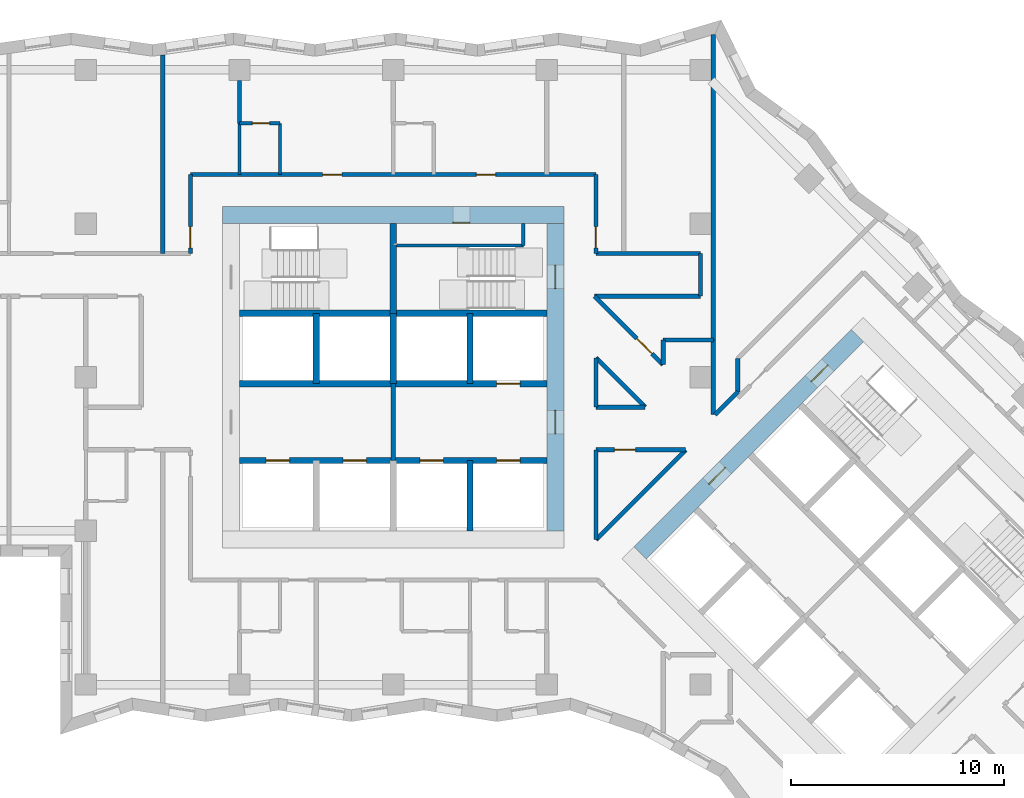
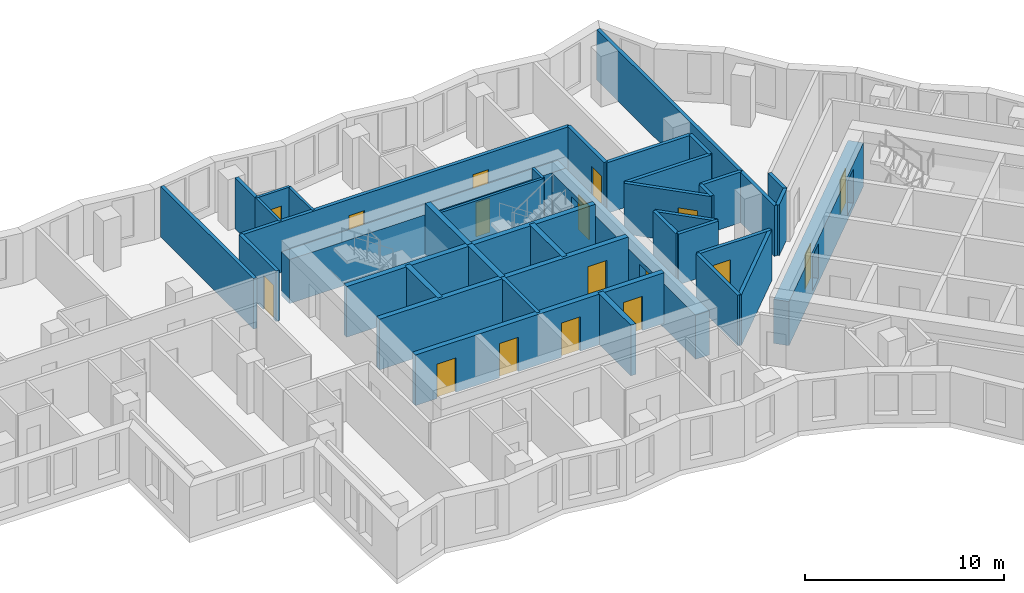
# One storey, part 6 of 13: 39 walls, 17 doors, 17 openings.
"""IFC4 building model written with IfcOpenShell, lengths in metres."""

from ifc_helpers import new_model, si_unit, direction, frame, frame_2d, origin, place, context, subcontext, project, spatial, rectangle, extrude, material, layer, layer_set, type_object, element, fill, save


model = new_model("IFC4")

# Units and contexts
model_context = context("Model", 3, precision=1e-05, world=origin(), true_north=direction((0.0, 1.0)))
body_context = subcontext(model_context, "Body", "Model", "MODEL_VIEW")
ifc_project = project(units=[si_unit("LENGTHUNIT", "METRE"), si_unit("AREAUNIT", "SQUARE_METRE"), si_unit("VOLUMEUNIT", "CUBIC_METRE"), si_unit("PLANEANGLEUNIT", "RADIAN"), si_unit("MASSUNIT", "GRAM", prefix="KILO")], contexts=[model_context])

# Site, building, storey
site_placement = place(None, origin())
site = spatial("IfcSite", under=ifc_project, at=site_placement, CompositionType="ELEMENT")
building_placement = place(site_placement, origin())
building = spatial("IfcBuilding", under=site, at=building_placement, Name="Windrow Commons", CompositionType="ELEMENT")
storey_placement = place(building_placement, frame((0.0, 0.0, 108.4)))
storey = spatial("IfcBuildingStorey", under=building, at=storey_placement, Name="L29", CompositionType="ELEMENT", Elevation=108.4)

# Wall
ifc_material_1 = material(Name="Blockwork partition", Category="masonry")
ifc_layer_1 = layer(ifc_material_1, 0.2)
ifc_layer_set_1 = layer_set([ifc_layer_1], Name="Fire lobby partition 200")
wall_type_1 = type_object("IfcWallType", Name="Fire lobby partition 200", PredefinedType="PARTITIONING", material=ifc_layer_set_1)
wall_1_placement = place(storey_placement, frame((64.8, 53.7, 0.0), z_axis=(0.0, 0.0, 1.0), x_axis=(0.0, 1.0, 0.0)))
element("IfcWall", 1, at=wall_1_placement, inside=storey, type_object=wall_type_1, Name="W-core-lobby-A-L29", PredefinedType="PARTITIONING", context=body_context, shape_type="SweptSolid", body=[
    extrude(rectangle(XDim=3.6, YDim=0.2, at=frame_2d((1.8, 0.0))), origin(), (0.0, 0.0, 1.0), 3.1),
])

# Wall, openings, doors
ifc_material_2 = material(Name="Blockwork partition", Category="masonry")
ifc_layer_2 = layer(ifc_material_2, 0.2)
ifc_layer_set_2 = layer_set([ifc_layer_2], Name="IW-CORRIDOR-200")
wall_type_2 = type_object("IfcWallType", Name="IW-CORRIDOR-200", PredefinedType="PARTITIONING", material=ifc_layer_set_2)
wall_2_placement = place(storey_placement, frame((55.3, 67.1, 0.0), z_axis=(0.0, 0.0, 1.0), x_axis=(1.0, 0.0, 0.0)))
wall_2 = element("IfcWall", 2, at=wall_2_placement, inside=storey, type_object=wall_type_2, Name="W-L29-W004", PredefinedType="PARTITIONING", context=body_context, shape_type="SweptSolid", body=[
    extrude(rectangle(XDim=19.0, YDim=0.2, at=frame_2d((9.5, 0.0))), origin(), (0.0, 0.0, 1.0), 3.1),
])
opening_1_placement = place(wall_2_placement, frame((6.1994, 0.0, 0.0)))
opening_1 = element("IfcOpeningElement", 3, at=opening_1_placement, cuts=wall_2, Name="Opening D109F", PredefinedType="OPENING", context=body_context, shape_type="SweptSolid", body=[
    extrude(rectangle(XDim=0.9, YDim=2.1, at=frame_2d((0.45, 1.05))), frame((0.0, 0.11, 0.0), z_axis=(0.0, -1.0, 0.0), x_axis=(1.0, 0.0, 0.0)), (0.0, 0.0, 1.0), 0.22),
])
opening_2_placement = place(wall_2_placement, frame((13.3994, 0.0, 0.0)))
opening_2 = element("IfcOpeningElement", 4, at=opening_2_placement, cuts=wall_2, Name="Opening D109F", PredefinedType="OPENING", context=body_context, shape_type="SweptSolid", body=[
    extrude(rectangle(XDim=0.9, YDim=2.1, at=frame_2d((0.45, 1.05))), frame((0.0, 0.11, 0.0), z_axis=(0.0, -1.0, 0.0), x_axis=(1.0, 0.0, 0.0)), (0.0, 0.0, 1.0), 0.22),
])
ifc_material_3 = material(Name="Timber door leaf", Category="wood")
door_type_1 = type_object("IfcDoorType", Name="DT-BEDROOM-900", OperationType="SINGLE_SWING_LEFT", PredefinedType="DOOR", material=ifc_material_3)
door_1_placement = place(opening_1_placement, origin())
door_1 = element("IfcDoor", 5, at=door_1_placement, inside=storey, type_object=door_type_1, Name="D-L29-D024", OperationType="SINGLE_SWING_RIGHT", OverallHeight=2.1, OverallWidth=0.9, PredefinedType="DOOR", context=body_context, shape_type="SweptSolid", body=[
    extrude(rectangle(XDim=0.9, YDim=2.1, at=frame_2d((0.45, 1.05))), frame((0.0, 0.025, 0.0), z_axis=(0.0, -1.0, 0.0), x_axis=(1.0, 0.0, 0.0)), (0.0, 0.0, 1.0), 0.05),
])
fill(opening_1, door_1)
door_2_placement = place(opening_2_placement, origin())
door_2 = element("IfcDoor", 6, at=door_2_placement, inside=storey, type_object=door_type_1, Name="D-L29-D026", OperationType="SINGLE_SWING_RIGHT", OverallHeight=2.1, OverallWidth=0.9, PredefinedType="DOOR", context=body_context, shape_type="SweptSolid", body=[
    extrude(rectangle(XDim=0.9, YDim=2.1, at=frame_2d((0.45, 1.05))), frame((0.0, 0.025, 0.0), z_axis=(0.0, -1.0, 0.0), x_axis=(1.0, 0.0, 0.0)), (0.0, 0.0, 1.0), 0.05),
])
fill(opening_2, door_2)

# Walls
wall_3_placement = place(storey_placement, frame((74.3012, 49.9908, 0.0), z_axis=(0.0, 0.0, 1.0), x_axis=(0.7071067812, 0.7071067812, 0.0)))
element("IfcWall", 7, at=wall_3_placement, inside=storey, type_object=wall_type_2, Name="W-L29-W028", PredefinedType="PARTITIONING", context=body_context, shape_type="SweptSolid", body=[
    extrude(rectangle(XDim=5.951, YDim=0.2, at=frame_2d((2.9755, 0.0))), origin(), (0.0, 0.0, 1.0), 3.1),
])
wall_4_placement = place(storey_placement, frame((74.246, 61.4, 0.0), z_axis=(0.0, 0.0, 1.0), x_axis=(1.0, 0.0, 0.0)))
element("IfcWall", 8, at=wall_4_placement, inside=storey, type_object=wall_type_2, Name="W-L29-W038", PredefinedType="PARTITIONING", context=body_context, shape_type="SweptSolid", body=[
    extrude(rectangle(XDim=4.954, YDim=0.2, at=frame_2d((2.477, 0.0))), origin(), (0.0, 0.0, 1.0), 3.1),
])
wall_5_placement = place(storey_placement, frame((74.302, 63.4, 0.0), z_axis=(0.0, 0.0, 1.0), x_axis=(1.0, 0.0, 0.0)))
element("IfcWall", 9, at=wall_5_placement, inside=storey, type_object=wall_type_2, Name="W-L29-W040", PredefinedType="PARTITIONING", context=body_context, shape_type="SweptSolid", body=[
    extrude(rectangle(XDim=4.896, YDim=0.2, at=frame_2d((2.448, 0.0))), origin(), (0.0, 0.0, 1.0), 3.1),
])

# Wall, opening, door
wall_6_placement = place(storey_placement, frame((74.2426, 61.3946, 0.0), z_axis=(0.0, 0.0, 1.0), x_axis=(0.7071067812, -0.7071067812, 0.0)))
wall_6 = element("IfcWall", 10, at=wall_6_placement, inside=storey, type_object=wall_type_2, Name="W-L29-W044", PredefinedType="PARTITIONING", context=body_context, shape_type="SweptSolid", body=[
    extrude(rectangle(XDim=4.5283, YDim=0.2, at=frame_2d((2.2641, 0.0))), origin(), (0.0, 0.0, 1.0), 3.1),
])
opening_3_placement = place(wall_6_placement, frame((2.7971, 0.0, 0.0)))
opening_3 = element("IfcOpeningElement", 11, at=opening_3_placement, cuts=wall_6, Name="Opening D310F", PredefinedType="OPENING", context=body_context, shape_type="SweptSolid", body=[
    extrude(rectangle(XDim=1.0, YDim=2.1, at=frame_2d((0.5, 1.05))), frame((0.0, 0.11, 0.0), z_axis=(0.0, -1.0, 0.0), x_axis=(1.0, 0.0, 0.0)), (0.0, 0.0, 1.0), 0.22),
])
ifc_material_4 = material(Name="Timber door leaf", Category="wood")
door_type_2 = type_object("IfcDoorType", Name="DT-AMENITY-1000", OperationType="SINGLE_SWING_LEFT", PredefinedType="DOOR", material=ifc_material_4)
door_3_placement = place(opening_3_placement, origin())
door_3 = element("IfcDoor", 12, at=door_3_placement, inside=storey, type_object=door_type_2, Name="D-L29-D035", OperationType="SINGLE_SWING_LEFT", OverallHeight=2.1, OverallWidth=1.0, PredefinedType="DOOR", context=body_context, shape_type="SweptSolid", body=[
    extrude(rectangle(XDim=1.0, YDim=2.1, at=frame_2d((0.5, 1.05))), frame((0.0, 0.025, 0.0), z_axis=(0.0, -1.0, 0.0), x_axis=(1.0, 0.0, 0.0)), (0.0, 0.0, 1.0), 0.05),
])
fill(opening_3, door_3)

# Wall
wall_7_placement = place(storey_placement, frame((74.3, 49.99, 0.0), z_axis=(0.0, 0.0, 1.0), x_axis=(0.0, 1.0, 0.0)))
element("IfcWall", 13, at=wall_7_placement, inside=storey, type_object=wall_type_2, Name="W-L29-W048", PredefinedType="PARTITIONING", context=body_context, shape_type="SweptSolid", body=[
    extrude(rectangle(XDim=4.21, YDim=0.2, at=frame_2d((2.105, 0.0))), origin(), (0.0, 0.0, 1.0), 3.1),
])

# Wall, opening, door
wall_8_placement = place(storey_placement, frame((74.302, 54.2, 0.0), z_axis=(0.0, 0.0, 1.0), x_axis=(1.0, 0.0, 0.0)))
wall_8 = element("IfcWall", 14, at=wall_8_placement, inside=storey, type_object=wall_type_2, Name="W-L29-W049", PredefinedType="PARTITIONING", context=body_context, shape_type="SweptSolid", body=[
    extrude(rectangle(XDim=4.208, YDim=0.2, at=frame_2d((2.104, 0.0))), origin(), (0.0, 0.0, 1.0), 3.1),
])
opening_4_placement = place(wall_8_placement, frame((0.8604, 0.0, 0.0)))
opening_4 = element("IfcOpeningElement", 15, at=opening_4_placement, cuts=wall_8, Name="Opening D410F", PredefinedType="OPENING", context=body_context, shape_type="SweptSolid", body=[
    extrude(rectangle(XDim=1.0, YDim=2.1, at=frame_2d((0.5, 1.05))), frame((0.0, 0.11, 0.0), z_axis=(0.0, -1.0, 0.0), x_axis=(1.0, 0.0, 0.0)), (0.0, 0.0, 1.0), 0.22),
])
ifc_material_5 = material(Name="Timber door leaf", Category="wood")
door_type_3 = type_object("IfcDoorType", Name="DT-SERVICE-1000", OperationType="SINGLE_SWING_LEFT", PredefinedType="DOOR", material=ifc_material_5)
door_4_placement = place(opening_4_placement, origin())
door_4 = element("IfcDoor", 16, at=door_4_placement, inside=storey, type_object=door_type_3, Name="D-L29-D000", OperationType="SINGLE_SWING_RIGHT", OverallHeight=2.1, OverallWidth=1.0, PredefinedType="DOOR", context=body_context, shape_type="SweptSolid", body=[
    extrude(rectangle(XDim=1.0, YDim=2.1, at=frame_2d((0.5, 1.05))), frame((0.0, 0.025, 0.0), z_axis=(0.0, -1.0, 0.0), x_axis=(1.0, 0.0, 0.0)), (0.0, 0.0, 1.0), 0.05),
])
fill(opening_4, door_4)

wall_9_placement = place(storey_placement, frame((55.3, 63.402, 0.0), z_axis=(0.0, 0.0, 1.0), x_axis=(0.0, 1.0, 0.0)))
wall_9 = element("IfcWall", 17, at=wall_9_placement, inside=storey, type_object=wall_type_2, Name="W-L29-W051", PredefinedType="PARTITIONING", context=body_context, shape_type="SweptSolid", body=[
    extrude(rectangle(XDim=3.698, YDim=0.2, at=frame_2d((1.849, 0.0))), origin(), (0.0, 0.0, 1.0), 3.1),
])
opening_5_placement = place(wall_9_placement, frame((0.258, 0.0, 0.0)))
opening_5 = element("IfcOpeningElement", 18, at=opening_5_placement, cuts=wall_9, Name="Opening D310F", PredefinedType="OPENING", context=body_context, shape_type="SweptSolid", body=[
    extrude(rectangle(XDim=1.0, YDim=2.1, at=frame_2d((0.5, 1.05))), frame((0.0, 0.11, 0.0), z_axis=(0.0, -1.0, 0.0), x_axis=(1.0, 0.0, 0.0)), (0.0, 0.0, 1.0), 0.22),
])
door_5_placement = place(opening_5_placement, origin())
door_5 = element("IfcDoor", 19, at=door_5_placement, inside=storey, type_object=door_type_2, Name="D-L29-D014", OperationType="SINGLE_SWING_LEFT", OverallHeight=2.1, OverallWidth=1.0, PredefinedType="DOOR", context=body_context, shape_type="SweptSolid", body=[
    extrude(rectangle(XDim=1.0, YDim=2.1, at=frame_2d((0.5, 1.05))), frame((0.0, 0.025, 0.0), z_axis=(0.0, -1.0, 0.0), x_axis=(1.0, 0.0, 0.0)), (0.0, 0.0, 1.0), 0.05),
])
fill(opening_5, door_5)

wall_10_placement = place(storey_placement, frame((74.3, 63.402, 0.0), z_axis=(0.0, 0.0, 1.0), x_axis=(0.0, 1.0, 0.0)))
wall_10 = element("IfcWall", 20, at=wall_10_placement, inside=storey, type_object=wall_type_2, Name="W-L29-W052", PredefinedType="PARTITIONING", context=body_context, shape_type="SweptSolid", body=[
    extrude(rectangle(XDim=3.698, YDim=0.2, at=frame_2d((1.849, 0.0))), origin(), (0.0, 0.0, 1.0), 3.1),
])
opening_6_placement = place(wall_10_placement, frame((0.258, 0.0, 0.0)))
opening_6 = element("IfcOpeningElement", 21, at=opening_6_placement, cuts=wall_10, Name="Opening D310F", PredefinedType="OPENING", context=body_context, shape_type="SweptSolid", body=[
    extrude(rectangle(XDim=1.0, YDim=2.1, at=frame_2d((0.5, 1.05))), frame((0.0, 0.11, 0.0), z_axis=(0.0, -1.0, 0.0), x_axis=(1.0, 0.0, 0.0)), (0.0, 0.0, 1.0), 0.22),
])
door_6_placement = place(opening_6_placement, origin())
door_6 = element("IfcDoor", 22, at=door_6_placement, inside=storey, type_object=door_type_2, Name="D-L29-D015", OperationType="SINGLE_SWING_RIGHT", OverallHeight=2.1, OverallWidth=1.0, PredefinedType="DOOR", context=body_context, shape_type="SweptSolid", body=[
    extrude(rectangle(XDim=1.0, YDim=2.1, at=frame_2d((0.5, 1.05))), frame((0.0, 0.025, 0.0), z_axis=(0.0, -1.0, 0.0), x_axis=(1.0, 0.0, 0.0)), (0.0, 0.0, 1.0), 0.05),
])
fill(opening_6, door_6)

# Walls
wall_11_placement = place(storey_placement, frame((79.8, 55.85, 0.0), z_axis=(0.0, 0.0, 1.0), x_axis=(0.0, 1.0, 0.0)))
element("IfcWall", 23, at=wall_11_placement, inside=storey, type_object=wall_type_2, Name="W-L29-W053", PredefinedType="PARTITIONING", context=body_context, shape_type="SweptSolid", body=[
    extrude(rectangle(XDim=3.5, YDim=0.2, at=frame_2d((1.75, 0.0))), origin(), (0.0, 0.0, 1.0), 3.1),
])
wall_12_placement = place(storey_placement, frame((74.3055, 58.5175, 0.0), z_axis=(0.0, 0.0, 1.0), x_axis=(0.7071067812, -0.7071067812, 0.0)))
element("IfcWall", 24, at=wall_12_placement, inside=storey, type_object=wall_type_2, Name="W-L29-W056", PredefinedType="PARTITIONING", context=body_context, shape_type="SweptSolid", body=[
    extrude(rectangle(XDim=3.2697, YDim=0.2, at=frame_2d((1.6348, 0.0))), origin(), (0.0, 0.0, 1.0), 3.1),
])
wall_13_placement = place(storey_placement, frame((77.452, 59.35, 0.0), z_axis=(0.0, 0.0, 1.0), x_axis=(1.0, 0.0, 0.0)))
element("IfcWall", 25, at=wall_13_placement, inside=storey, type_object=wall_type_2, Name="W-L29-W096", PredefinedType="PARTITIONING", context=body_context, shape_type="SweptSolid", body=[
    extrude(rectangle(XDim=2.348, YDim=0.2, at=frame_2d((1.174, 0.0))), origin(), (0.0, 0.0, 1.0), 3.1),
])
for number, where, z_axis, x_axis, name in (
    (26, (74.3, 56.202, 0.0), (0.0, 0.0, 1.0), (0.0, 1.0, 0.0), "W-L29-W097"),
    (27, (74.302, 56.2, 0.0), (0.0, 0.0, 1.0), (1.0, 0.0, 0.0), "W-L29-W098"),
):
    element("IfcWall", number, at=place(storey_placement, frame(where, z_axis=z_axis, x_axis=x_axis)), inside=storey, type_object=wall_type_2, Name=name, PredefinedType="PARTITIONING", context=body_context, shape_type="SweptSolid", body=[
        extrude(rectangle(XDim=2.31, YDim=0.2, at=frame_2d((1.155, 0.0))), origin(), (0.0, 0.0, 1.0), 3.1),
    ])
wall_14_placement = place(storey_placement, frame((79.2, 61.402, 0.0), z_axis=(0.0, 0.0, 1.0), x_axis=(0.0, 1.0, 0.0)))
element("IfcWall", 28, at=wall_14_placement, inside=storey, type_object=wall_type_2, Name="W-L29-W112", PredefinedType="PARTITIONING", context=body_context, shape_type="SweptSolid", body=[
    extrude(rectangle(XDim=1.996, YDim=0.2, at=frame_2d((0.998, 0.0))), origin(), (0.0, 0.0, 1.0), 3.1),
])
wall_15_placement = place(storey_placement, frame((79.8787, 55.8513, 0.0), z_axis=(0.0, 0.0, 1.0), x_axis=(0.7071067812, 0.7071067812, 0.0)))
element("IfcWall", 29, at=wall_15_placement, inside=storey, type_object=wall_type_2, Name="W-L29-W131", PredefinedType="PARTITIONING", context=body_context, shape_type="SweptSolid", body=[
    extrude(rectangle(XDim=1.5132, YDim=0.2, at=frame_2d((0.7566, 0.0))), origin(), (0.0, 0.0, 1.0), 3.1),
])
wall_16_placement = place(storey_placement, frame((77.45, 58.196, 0.0), z_axis=(0.0, 0.0, 1.0), x_axis=(0.0, 1.0, 0.0)))
element("IfcWall", 30, at=wall_16_placement, inside=storey, type_object=wall_type_2, Name="W-L29-W136", PredefinedType="PARTITIONING", context=body_context, shape_type="SweptSolid", body=[
    extrude(rectangle(XDim=1.152, YDim=0.2, at=frame_2d((0.576, 0.0))), origin(), (0.0, 0.0, 1.0), 3.1),
])
ifc_material_6 = material(Name="Blockwork partition", Category="masonry")
ifc_layer_3 = layer(ifc_material_6, 0.15)
ifc_layer_set_3 = layer_set([ifc_layer_3], Name="IW-ENSUITE-150")
wall_type_3 = type_object("IfcWallType", Name="IW-ENSUITE-150", PredefinedType="PARTITIONING", material=ifc_layer_set_3)
for number, where, z_axis, x_axis, name in (
    (31, (59.5, 67.1, 0.0), (0.0, 0.0, 1.0), (0.0, 1.0, 0.0), "W-L29-W072"),
    (32, (57.6, 67.1, 0.0), (0.0, 0.0, 1.0), (0.0, 1.0, 0.0), "W-L29-W073"),
):
    element("IfcWall", number, at=place(storey_placement, frame(where, z_axis=z_axis, x_axis=x_axis)), inside=storey, type_object=wall_type_3, Name=name, PredefinedType="PARTITIONING", context=body_context, shape_type="SweptSolid", body=[
        extrude(rectangle(XDim=2.4, YDim=0.15, at=frame_2d((1.2, 0.0))), origin(), (0.0, 0.0, 1.0), 3.1),
    ])

# Wall, opening, door
wall_17_placement = place(storey_placement, frame((57.6, 69.5, 0.0), z_axis=(0.0, 0.0, 1.0), x_axis=(1.0, 0.0, 0.0)))
wall_17 = element("IfcWall", 33, at=wall_17_placement, inside=storey, type_object=wall_type_3, Name="W-L29-W127", PredefinedType="PARTITIONING", context=body_context, shape_type="SweptSolid", body=[
    extrude(rectangle(XDim=1.9, YDim=0.15, at=frame_2d((0.95, 0.0))), origin(), (0.0, 0.0, 1.0), 3.1),
])
opening_7_placement = place(wall_17_placement, frame((0.6069, 0.0, 0.0)))
opening_7 = element("IfcOpeningElement", 34, at=opening_7_placement, cuts=wall_17, Name="Opening D208N", PredefinedType="OPENING", context=body_context, shape_type="SweptSolid", body=[
    extrude(rectangle(XDim=0.8, YDim=2.1, at=frame_2d((0.4, 1.05))), frame((0.0, 0.085, 0.0), z_axis=(0.0, -1.0, 0.0), x_axis=(1.0, 0.0, 0.0)), (0.0, 0.0, 1.0), 0.17),
])
ifc_material_7 = material(Name="Timber door leaf", Category="wood")
door_type_4 = type_object("IfcDoorType", Name="DT-ENSUITE-800", OperationType="SINGLE_SWING_LEFT", PredefinedType="DOOR", material=ifc_material_7)
door_7_placement = place(opening_7_placement, origin())
door_7 = element("IfcDoor", 35, at=door_7_placement, inside=storey, type_object=door_type_4, Name="D-L29-D025", OperationType="SINGLE_SWING_RIGHT", OverallHeight=2.1, OverallWidth=0.8, PredefinedType="DOOR", context=body_context, shape_type="SweptSolid", body=[
    extrude(rectangle(XDim=0.8, YDim=2.1, at=frame_2d((0.4, 1.05))), frame((0.0, 0.025, 0.0), z_axis=(0.0, -1.0, 0.0), x_axis=(1.0, 0.0, 0.0)), (0.0, 0.0, 1.0), 0.05),
])
fill(opening_7, door_7)

# Walls
ifc_material_8 = material(Name="Blockwork partition", Category="masonry")
ifc_layer_4 = layer(ifc_material_8, 0.2)
ifc_layer_set_4 = layer_set([ifc_layer_4], Name="IW-PARTY-200")
wall_type_4 = type_object("IfcWallType", Name="IW-PARTY-200", PredefinedType="PARTITIONING", material=ifc_layer_set_4)
wall_18_placement = place(storey_placement, frame((79.8, 59.35, 0.0), z_axis=(0.0, 0.0, 1.0), x_axis=(0.0, 1.0, 0.0)))
element("IfcWall", 36, at=wall_18_placement, inside=storey, type_object=wall_type_4, Name="W-L29-W005", PredefinedType="PARTITIONING", context=body_context, shape_type="SweptSolid", body=[
    extrude(rectangle(XDim=14.3068, YDim=0.2, at=frame_2d((7.1534, 0.0))), origin(), (0.0, 0.0, 1.0), 3.1),
])
wall_19_placement = place(storey_placement, frame((54.0, 63.4, 0.0), z_axis=(0.0, 0.0, 1.0), x_axis=(0.0, 1.0, 0.0)))
element("IfcWall", 37, at=wall_19_placement, inside=storey, type_object=wall_type_4, Name="W-L29-W015", PredefinedType="PARTITIONING", context=body_context, shape_type="SweptSolid", body=[
    extrude(rectangle(XDim=9.3126, YDim=0.2, at=frame_2d((4.6563, 0.0))), origin(), (0.0, 0.0, 1.0), 3.1),
])
wall_20_placement = place(storey_placement, frame((57.6, 69.5, 0.0), z_axis=(0.0, 0.0, 1.0), x_axis=(0.0, 1.0, 0.0)))
element("IfcWall", 38, at=wall_20_placement, inside=storey, type_object=wall_type_4, Name="W-L29-W108", PredefinedType="PARTITIONING", context=body_context, shape_type="SweptSolid", body=[
    extrude(rectangle(XDim=2.0, YDim=0.2, at=frame_2d((1.0, 0.0))), origin(), (0.0, 0.0, 1.0), 3.1),
])
wall_21_placement = place(storey_placement, frame((80.95, 56.92, 0.0), z_axis=(0.0, 0.0, 1.0), x_axis=(0.0, 1.0, 0.0)))
element("IfcWall", 39, at=wall_21_placement, inside=storey, type_object=wall_type_4, Name="W-L29-W130", PredefinedType="PARTITIONING", context=body_context, shape_type="SweptSolid", body=[
    extrude(rectangle(XDim=1.556, YDim=0.2, at=frame_2d((0.778, 0.0))), origin(), (0.0, 0.0, 1.0), 3.1),
])

# Wall, opening, door
ifc_material_9 = material(Name="Concrete C50/60", Category="concrete")
ifc_layer_5 = layer(ifc_material_9, 0.8)
ifc_layer_set_5 = layer_set([ifc_layer_5], Name="RC CORE WALL 800 C50/60")
wall_type_5 = type_object("IfcWallType", Name="RC CORE WALL 800 C50/60", PredefinedType="SHEAR", material=ifc_layer_set_5)
wall_22_placement = place(storey_placement, frame((56.8, 65.2, -0.3), z_axis=(0.0, 0.0, 1.0), x_axis=(1.0, 0.0, 0.0)))
wall_22 = element("IfcWall", 40, at=wall_22_placement, inside=storey, type_object=wall_type_5, Name="Core A wall outer-N", PredefinedType="SHEAR", context=body_context, shape_type="SweptSolid", body=[
    extrude(rectangle(XDim=16.0, YDim=0.8, at=frame_2d((8.0, 0.0))), origin(), (0.0, 0.0, 1.0), 2.7),
])
opening_8_placement = place(wall_22_placement, frame((10.8, 0.0, 0.3)))
opening_8 = element("IfcOpeningElement", 41, at=opening_8_placement, cuts=wall_22, Name="Opening D9", PredefinedType="OPENING", context=body_context, shape_type="SweptSolid", body=[
    extrude(rectangle(XDim=0.8, YDim=2.1, at=frame_2d((0.4, 1.05))), frame((0.0, 0.41, 0.0), z_axis=(0.0, -1.0, 0.0), x_axis=(1.0, 0.0, 0.0)), (0.0, 0.0, 1.0), 0.82),
])
ifc_material_10 = material(Name="Steel fire door leaf", Category="steel")
door_type_5 = type_object("IfcDoorType", Name="Riser access door 800", OperationType="SINGLE_SWING_LEFT", PredefinedType="DOOR", material=ifc_material_10)
door_8_placement = place(opening_8_placement, origin())
door_8 = element("IfcDoor", 42, at=door_8_placement, inside=storey, type_object=door_type_5, Name="Riser access door", OperationType="SINGLE_SWING_RIGHT", OverallHeight=2.1, OverallWidth=0.8, PredefinedType="DOOR", context=body_context, shape_type="SweptSolid", body=[
    extrude(rectangle(XDim=0.8, YDim=2.1, at=frame_2d((0.4, 1.05))), frame((0.0, -0.34, 0.0), z_axis=(0.0, -1.0, 0.0), x_axis=(1.0, 0.0, 0.0)), (0.0, 0.0, 1.0), 0.05),
])
fill(opening_8, door_8)

# Wall, openings, doors
wall_23_placement = place(storey_placement, frame((72.4, 50.4, -0.3), z_axis=(0.0, 0.0, 1.0), x_axis=(0.0, 1.0, 0.0)))
wall_23 = element("IfcWall", 43, at=wall_23_placement, inside=storey, type_object=wall_type_5, Name="Core A wall outer-E", PredefinedType="SHEAR", context=body_context, shape_type="SweptSolid", body=[
    extrude(rectangle(XDim=14.4, YDim=0.8, at=frame_2d((7.2, 0.0))), origin(), (0.0, 0.0, 1.0), 2.7),
])
opening_9_placement = place(wall_23_placement, frame((4.55, 0.0, 0.3)))
opening_9 = element("IfcOpeningElement", 44, at=opening_9_placement, cuts=wall_23, Name="Opening D6", PredefinedType="OPENING", context=body_context, shape_type="SweptSolid", body=[
    extrude(rectangle(XDim=1.1, YDim=2.1, at=frame_2d((0.55, 1.05))), frame((0.0, 0.41, 0.0), z_axis=(0.0, -1.0, 0.0), x_axis=(1.0, 0.0, 0.0)), (0.0, 0.0, 1.0), 0.82),
])
opening_10_placement = place(wall_23_placement, frame((11.35, 0.0, 0.3)))
opening_10 = element("IfcOpeningElement", 45, at=opening_10_placement, cuts=wall_23, Name="Opening D7", PredefinedType="OPENING", context=body_context, shape_type="SweptSolid", body=[
    extrude(rectangle(XDim=1.1, YDim=2.1, at=frame_2d((0.55, 1.05))), frame((0.0, 0.41, 0.0), z_axis=(0.0, -1.0, 0.0), x_axis=(1.0, 0.0, 0.0)), (0.0, 0.0, 1.0), 0.82),
])
ifc_material_11 = material(Name="Steel fire door leaf", Category="steel")
door_type_6 = type_object("IfcDoorType", Name="Core lobby door 1100", OperationType="SINGLE_SWING_LEFT", PredefinedType="DOOR", material=ifc_material_11)
door_9_placement = place(opening_9_placement, origin())
door_9 = element("IfcDoor", 46, at=door_9_placement, inside=storey, type_object=door_type_6, Name="Lift lobby door", OperationType="DOUBLE_DOOR_SINGLE_SWING", OverallHeight=2.1, OverallWidth=1.1, PredefinedType="DOOR", context=body_context, shape_type="SweptSolid", body=[
    extrude(rectangle(XDim=1.1, YDim=2.1, at=frame_2d((0.55, 1.05))), frame((0.0, 0.025, 0.0), z_axis=(0.0, -1.0, 0.0), x_axis=(1.0, 0.0, 0.0)), (0.0, 0.0, 1.0), 0.05),
])
fill(opening_9, door_9)
ifc_material_12 = material(Name="Steel fire door leaf", Category="steel")
door_type_7 = type_object("IfcDoorType", Name="Stair door 1100", OperationType="SINGLE_SWING_LEFT", PredefinedType="DOOR", material=ifc_material_12)
door_10_placement = place(opening_10_placement, origin())
door_10 = element("IfcDoor", 47, at=door_10_placement, inside=storey, type_object=door_type_7, Name="Stair door", OperationType="SINGLE_SWING_RIGHT", OverallHeight=2.1, OverallWidth=1.1, PredefinedType="DOOR", context=body_context, shape_type="SweptSolid", body=[
    extrude(rectangle(XDim=1.1, YDim=2.1, at=frame_2d((0.55, 1.05))), frame((0.0, 0.025, 0.0), z_axis=(0.0, -1.0, 0.0), x_axis=(1.0, 0.0, 0.0)), (0.0, 0.0, 1.0), 0.05),
])
fill(opening_10, door_10)

wall_24_placement = place(storey_placement, frame((76.3716, 49.3726, -0.3), z_axis=(0.0, 0.0, 1.0), x_axis=(0.7071067812, 0.7071067812, 0.0)))
wall_24 = element("IfcWall", 48, at=wall_24_placement, inside=storey, type_object=wall_type_5, Name="Core B wall outer-W", PredefinedType="SHEAR", context=body_context, shape_type="SweptSolid", body=[
    extrude(rectangle(XDim=14.3999, YDim=0.8, at=frame_2d((7.2, 0.0))), origin(), (0.0, 0.0, 1.0), 2.7),
])
opening_11_placement = place(wall_24_placement, frame((4.55, 0.0, 0.3)))
opening_11 = element("IfcOpeningElement", 49, at=opening_11_placement, cuts=wall_24, Name="Opening D6", PredefinedType="OPENING", context=body_context, shape_type="SweptSolid", body=[
    extrude(rectangle(XDim=1.1, YDim=2.1, at=frame_2d((0.55, 1.05))), frame((0.0, 0.41, 0.0), z_axis=(0.0, -1.0, 0.0), x_axis=(1.0, 0.0, 0.0)), (0.0, 0.0, 1.0), 0.82),
])
opening_12_placement = place(wall_24_placement, frame((11.35, 0.0, 0.3)))
opening_12 = element("IfcOpeningElement", 50, at=opening_12_placement, cuts=wall_24, Name="Opening D7", PredefinedType="OPENING", context=body_context, shape_type="SweptSolid", body=[
    extrude(rectangle(XDim=1.1, YDim=2.1, at=frame_2d((0.55, 1.05))), frame((0.0, 0.41, 0.0), z_axis=(0.0, -1.0, 0.0), x_axis=(1.0, 0.0, 0.0)), (0.0, 0.0, 1.0), 0.82),
])
door_11_placement = place(opening_11_placement, origin())
door_11 = element("IfcDoor", 51, at=door_11_placement, inside=storey, type_object=door_type_6, Name="Lift lobby door", OperationType="DOUBLE_DOOR_SINGLE_SWING", OverallHeight=2.1, OverallWidth=1.1, PredefinedType="DOOR", context=body_context, shape_type="SweptSolid", body=[
    extrude(rectangle(XDim=1.1, YDim=2.1, at=frame_2d((0.55, 1.05))), frame((0.0, 0.025, 0.0), z_axis=(0.0, -1.0, 0.0), x_axis=(1.0, 0.0, 0.0)), (0.0, 0.0, 1.0), 0.05),
])
fill(opening_11, door_11)
door_12_placement = place(opening_12_placement, origin())
door_12 = element("IfcDoor", 52, at=door_12_placement, inside=storey, type_object=door_type_7, Name="Stair door", OperationType="SINGLE_SWING_LEFT", OverallHeight=2.1, OverallWidth=1.1, PredefinedType="DOOR", context=body_context, shape_type="SweptSolid", body=[
    extrude(rectangle(XDim=1.1, YDim=2.1, at=frame_2d((0.55, 1.05))), frame((0.0, 0.025, 0.0), z_axis=(0.0, -1.0, 0.0), x_axis=(1.0, 0.0, 0.0)), (0.0, 0.0, 1.0), 0.05),
])
fill(opening_12, door_12)

# Walls
ifc_material_13 = material(Name="Concrete C50/60", Category="concrete")
ifc_layer_6 = layer(ifc_material_13, 0.3)
ifc_layer_set_6 = layer_set([ifc_layer_6], Name="RC SHAFT WALL 300 C50/60")
wall_type_6 = type_object("IfcWallType", Name="RC SHAFT WALL 300 C50/60", PredefinedType="SOLIDWALL", material=ifc_layer_set_6)
for number, where, z_axis, x_axis, name in (
    (53, (61.2, 57.3, 0.0), (0.0, 0.0, 1.0), (0.0, 1.0, 0.0), "Core A wall shaft-N1"),
    (54, (64.8, 57.3, 0.0), (0.0, 0.0, 1.0), (0.0, 1.0, 0.0), "Core A wall shaft-N2"),
    (55, (68.4, 50.4, 0.0), (0.0, 0.0, 1.0), (0.0, 1.0, 0.0), "Core A wall shaft-S3"),
    (56, (68.4, 57.3, 0.0), (0.0, 0.0, 1.0), (0.0, 1.0, 0.0), "Core A wall shaft-N3"),
):
    element("IfcWall", number, at=place(storey_placement, frame(where, z_axis=z_axis, x_axis=x_axis)), inside=storey, type_object=wall_type_6, Name=name, PredefinedType="SOLIDWALL", context=body_context, shape_type="SweptSolid", body=[
        extrude(rectangle(XDim=3.3, YDim=0.3, at=frame_2d((1.65, 0.0))), origin(), (0.0, 0.0, 1.0), 3.1),
    ])

# Wall, openings, doors
wall_25_placement = place(storey_placement, frame((57.6, 53.7, 0.0), z_axis=(0.0, 0.0, 1.0), x_axis=(1.0, 0.0, 0.0)))
wall_25 = element("IfcWall", 57, at=wall_25_placement, inside=storey, type_object=wall_type_6, Name="Core A wall lobby-S", PredefinedType="SOLIDWALL", context=body_context, shape_type="SweptSolid", body=[
    extrude(rectangle(XDim=14.4, YDim=0.3, at=frame_2d((7.2, 0.0))), origin(), (0.0, 0.0, 1.0), 3.1),
])
opening_13_placement = place(wall_25_placement, frame((1.25, 0.0, 0.0)))
opening_13 = element("IfcOpeningElement", 58, at=opening_13_placement, cuts=wall_25, Name="Opening LD", PredefinedType="OPENING", context=body_context, shape_type="SweptSolid", body=[
    extrude(rectangle(XDim=1.1, YDim=2.1, at=frame_2d((0.55, 1.05))), frame((0.0, 0.16, 0.0), z_axis=(0.0, -1.0, 0.0), x_axis=(1.0, 0.0, 0.0)), (0.0, 0.0, 1.0), 0.32),
])
opening_14_placement = place(wall_25_placement, frame((4.85, 0.0, 0.0)))
opening_14 = element("IfcOpeningElement", 59, at=opening_14_placement, cuts=wall_25, Name="Opening LD", PredefinedType="OPENING", context=body_context, shape_type="SweptSolid", body=[
    extrude(rectangle(XDim=1.1, YDim=2.1, at=frame_2d((0.55, 1.05))), frame((0.0, 0.16, 0.0), z_axis=(0.0, -1.0, 0.0), x_axis=(1.0, 0.0, 0.0)), (0.0, 0.0, 1.0), 0.32),
])
opening_15_placement = place(wall_25_placement, frame((8.45, 0.0, 0.0)))
opening_15 = element("IfcOpeningElement", 60, at=opening_15_placement, cuts=wall_25, Name="Opening LD", PredefinedType="OPENING", context=body_context, shape_type="SweptSolid", body=[
    extrude(rectangle(XDim=1.1, YDim=2.1, at=frame_2d((0.55, 1.05))), frame((0.0, 0.16, 0.0), z_axis=(0.0, -1.0, 0.0), x_axis=(1.0, 0.0, 0.0)), (0.0, 0.0, 1.0), 0.32),
])
opening_16_placement = place(wall_25_placement, frame((12.05, 0.0, 0.0)))
opening_16 = element("IfcOpeningElement", 61, at=opening_16_placement, cuts=wall_25, Name="Opening LD", PredefinedType="OPENING", context=body_context, shape_type="SweptSolid", body=[
    extrude(rectangle(XDim=1.1, YDim=2.1, at=frame_2d((0.55, 1.05))), frame((0.0, 0.16, 0.0), z_axis=(0.0, -1.0, 0.0), x_axis=(1.0, 0.0, 0.0)), (0.0, 0.0, 1.0), 0.32),
])
ifc_material_14 = material(Name="Stainless steel door leaf", Category="steel")
door_type_8 = type_object("IfcDoorType", Name="Lift landing door 1100", OperationType="SLIDING_TO_LEFT", PredefinedType="DOOR", material=ifc_material_14)
door_13_placement = place(opening_13_placement, origin())
door_13 = element("IfcDoor", 62, at=door_13_placement, inside=storey, type_object=door_type_8, Name="Lift landing door", OperationType="SLIDING_TO_LEFT", OverallHeight=2.1, OverallWidth=1.1, PredefinedType="DOOR", context=body_context, shape_type="SweptSolid", body=[
    extrude(rectangle(XDim=1.1, YDim=2.1, at=frame_2d((0.55, 1.05))), frame((0.0, 0.025, 0.0), z_axis=(0.0, -1.0, 0.0), x_axis=(1.0, 0.0, 0.0)), (0.0, 0.0, 1.0), 0.05),
])
fill(opening_13, door_13)
door_14_placement = place(opening_14_placement, origin())
door_14 = element("IfcDoor", 63, at=door_14_placement, inside=storey, type_object=door_type_8, Name="Lift landing door", OperationType="SLIDING_TO_RIGHT", OverallHeight=2.1, OverallWidth=1.1, PredefinedType="DOOR", context=body_context, shape_type="SweptSolid", body=[
    extrude(rectangle(XDim=1.1, YDim=2.1, at=frame_2d((0.55, 1.05))), frame((0.0, 0.025, 0.0), z_axis=(0.0, -1.0, 0.0), x_axis=(1.0, 0.0, 0.0)), (0.0, 0.0, 1.0), 0.05),
])
fill(opening_14, door_14)
door_15_placement = place(opening_15_placement, origin())
door_15 = element("IfcDoor", 64, at=door_15_placement, inside=storey, type_object=door_type_8, Name="Lift landing door", OperationType="SLIDING_TO_LEFT", OverallHeight=2.1, OverallWidth=1.1, PredefinedType="DOOR", context=body_context, shape_type="SweptSolid", body=[
    extrude(rectangle(XDim=1.1, YDim=2.1, at=frame_2d((0.55, 1.05))), frame((0.0, 0.025, 0.0), z_axis=(0.0, -1.0, 0.0), x_axis=(1.0, 0.0, 0.0)), (0.0, 0.0, 1.0), 0.05),
])
fill(opening_15, door_15)
door_16_placement = place(opening_16_placement, origin())
door_16 = element("IfcDoor", 65, at=door_16_placement, inside=storey, type_object=door_type_8, Name="Lift landing door", OperationType="SLIDING_TO_RIGHT", OverallHeight=2.1, OverallWidth=1.1, PredefinedType="DOOR", context=body_context, shape_type="SweptSolid", body=[
    extrude(rectangle(XDim=1.1, YDim=2.1, at=frame_2d((0.55, 1.05))), frame((0.0, 0.025, 0.0), z_axis=(0.0, -1.0, 0.0), x_axis=(1.0, 0.0, 0.0)), (0.0, 0.0, 1.0), 0.05),
])
fill(opening_16, door_16)

# Wall, opening, door
wall_26_placement = place(storey_placement, frame((57.6, 57.3, 0.0), z_axis=(0.0, 0.0, 1.0), x_axis=(1.0, 0.0, 0.0)))
wall_26 = element("IfcWall", 66, at=wall_26_placement, inside=storey, type_object=wall_type_6, Name="Core A wall lobby-N", PredefinedType="SOLIDWALL", context=body_context, shape_type="SweptSolid", body=[
    extrude(rectangle(XDim=14.4, YDim=0.3, at=frame_2d((7.2, 0.0))), origin(), (0.0, 0.0, 1.0), 3.1),
])
opening_17_placement = place(wall_26_placement, frame((12.05, 0.0, 0.0)))
opening_17 = element("IfcOpeningElement", 67, at=opening_17_placement, cuts=wall_26, Name="Opening LD", PredefinedType="OPENING", context=body_context, shape_type="SweptSolid", body=[
    extrude(rectangle(XDim=1.1, YDim=2.1, at=frame_2d((0.55, 1.05))), frame((0.0, 0.16, 0.0), z_axis=(0.0, -1.0, 0.0), x_axis=(1.0, 0.0, 0.0)), (0.0, 0.0, 1.0), 0.32),
])
door_17_placement = place(opening_17_placement, origin())
door_17 = element("IfcDoor", 68, at=door_17_placement, inside=storey, type_object=door_type_8, Name="Lift landing door", OperationType="SLIDING_TO_RIGHT", OverallHeight=2.1, OverallWidth=1.1, PredefinedType="DOOR", context=body_context, shape_type="SweptSolid", body=[
    extrude(rectangle(XDim=1.1, YDim=2.1, at=frame_2d((0.55, 1.05))), frame((0.0, 0.025, 0.0), z_axis=(0.0, -1.0, 0.0), x_axis=(1.0, 0.0, 0.0)), (0.0, 0.0, 1.0), 0.05),
])
fill(opening_17, door_17)

# Walls
for number, where, z_axis, x_axis, name in (
    (69, (57.6, 60.6, 0.0), (0.0, 0.0, 1.0), (1.0, 0.0, 0.0), "Core A wall stair-S"),
    (70, (64.8, 60.6, 0.0), (0.0, 0.0, 1.0), (1.0, 0.0, 0.0), "Core A wall stair-S2"),
):
    element("IfcWall", number, at=place(storey_placement, frame(where, z_axis=z_axis, x_axis=x_axis)), inside=storey, type_object=wall_type_6, Name=name, PredefinedType="SOLIDWALL", context=body_context, shape_type="SweptSolid", body=[
        extrude(rectangle(XDim=7.2, YDim=0.3, at=frame_2d((3.6, 0.0))), origin(), (0.0, 0.0, 1.0), 3.1),
    ])
wall_27_placement = place(storey_placement, frame((64.8, 60.6, 0.0), z_axis=(0.0, 0.0, 1.0), x_axis=(0.0, 1.0, 0.0)))
element("IfcWall", 71, at=wall_27_placement, inside=storey, type_object=wall_type_6, Name="Core A wall stair-mid", PredefinedType="SOLIDWALL", context=body_context, shape_type="SweptSolid", body=[
    extrude(rectangle(XDim=4.2, YDim=0.3, at=frame_2d((2.1, 0.0))), origin(), (0.0, 0.0, 1.0), 3.1),
])
ifc_material_15 = material(Name="Blockwork partition", Category="masonry")
ifc_layer_7 = layer(ifc_material_15, 0.15)
ifc_layer_set_7 = layer_set([ifc_layer_7], Name="Riser partition 150")
wall_type_7 = type_object("IfcWallType", Name="Riser partition 150", PredefinedType="PARTITIONING", material=ifc_layer_set_7)
wall_28_placement = place(storey_placement, frame((64.95, 63.78, 0.0), z_axis=(0.0, 0.0, 1.0), x_axis=(1.0, 0.0, 0.0)))
element("IfcWall", 72, at=wall_28_placement, inside=storey, type_object=wall_type_7, Name="W-core-strip-A-L29", PredefinedType="PARTITIONING", context=body_context, shape_type="SweptSolid", body=[
    extrude(rectangle(XDim=5.95, YDim=0.15, at=frame_2d((2.975, 0.0))), origin(), (0.0, 0.0, 1.0), 3.1),
])
wall_29_placement = place(storey_placement, frame((70.9, 63.78, 0.0), z_axis=(0.0, 0.0, 1.0), x_axis=(0.0, 1.0, 0.0)))
element("IfcWall", 73, at=wall_29_placement, inside=storey, type_object=wall_type_7, Name="W-core-stripx-A-L29-1", PredefinedType="PARTITIONING", context=body_context, shape_type="SweptSolid", body=[
    extrude(rectangle(XDim=1.02, YDim=0.15, at=frame_2d((0.51, 0.0))), origin(), (0.0, 0.0, 1.0), 3.1),
])

save(model, "model.ifc")
